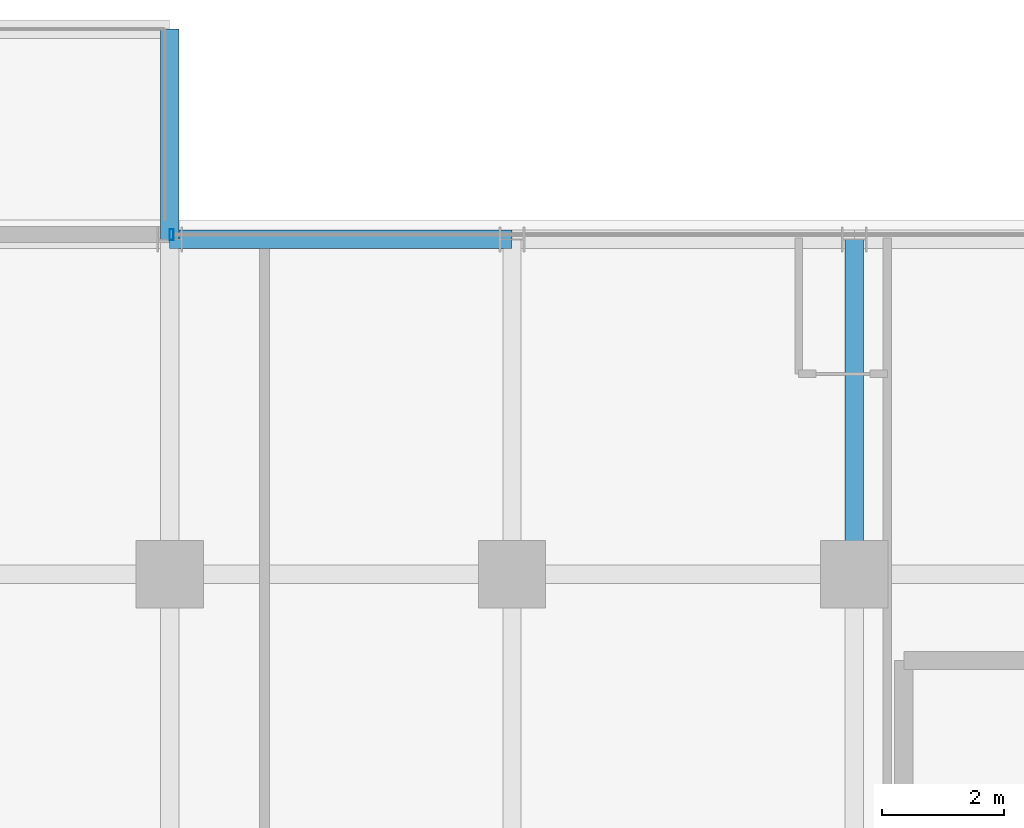
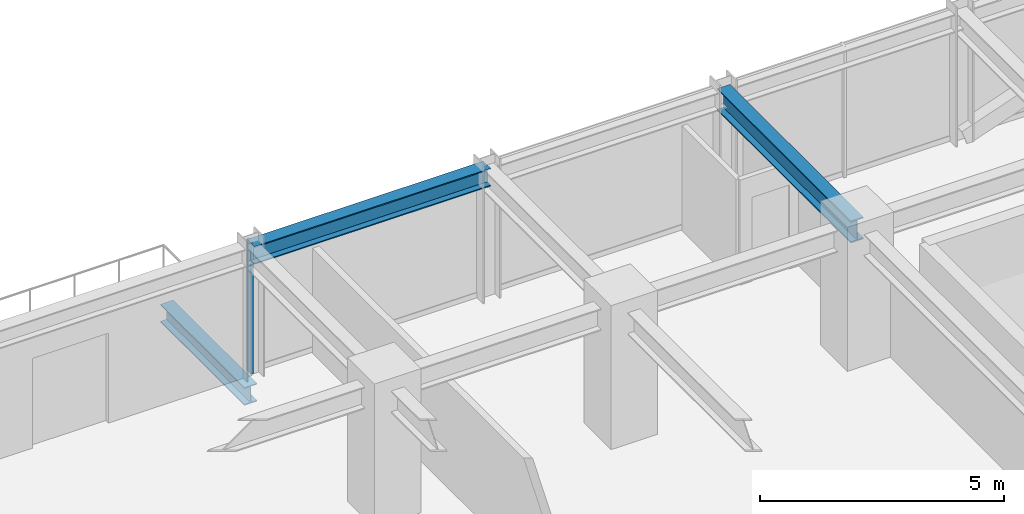
# One storey, part 19 of 32: 3 beams, 1 member, 1 element without a shape of its own.
"""IFC4 building model written with IfcOpenShell, lengths in metres."""

from ifc_helpers import new_model, si_unit, direction, frame, origin, origin_2d, place, context, subcontext, project, spatial, hollow_rectangle, i_section, extrude, source, transform, mapped, material, material_profile, profile_set, type_object, element, aggregate, save


model = new_model("IFC4")

# Units and contexts
model_context = context("Model", 3, precision=1e-05, world=origin(), true_north=direction((0.0, 1.0)))
body_context = subcontext(model_context, "Body", "Model", "MODEL_VIEW")
ifc_project = project(units=[si_unit("LENGTHUNIT", "METRE"), si_unit("AREAUNIT", "SQUARE_METRE"), si_unit("VOLUMEUNIT", "CUBIC_METRE"), si_unit("PLANEANGLEUNIT", "RADIAN"), si_unit("MASSUNIT", "GRAM", prefix="KILO")], contexts=[model_context])

# Site, building, storey
site_placement = place(None, origin())
site = spatial("IfcSite", under=ifc_project, at=site_placement, CompositionType="ELEMENT")
building_placement = place(site_placement, origin())
building = spatial("IfcBuilding", under=site, at=building_placement, Name="Nahalor Promenade Grand Hotel", CompositionType="ELEMENT")
storey_placement = place(building_placement, frame((0.0, 0.0, 196.449951171875)))
storey = spatial("IfcBuildingStorey", under=building, at=storey_placement, Name="L50", CompositionType="ELEMENT", Elevation=196.449951171875)

# Beams
ifc_material_1 = material(Name="Steel S355JR", Category="steel")
ifc_material_profile_1 = material_profile(ifc_material_1, i_section(OverallWidth=0.3, OverallDepth=0.45, WebThickness=0.014, FlangeThickness=0.026, at=origin_2d()), Name="HEB 450")
ifc_profile_set_1 = profile_set([ifc_material_profile_1], Name="Steel S355JR")
beam_type_1 = type_object("IfcBeamType", Name="Beam-Outrigger-HEB450", PredefinedType="BEAM", material=ifc_profile_set_1)
shared_shape_1 = source(origin(), body_context, "Body", "SweptSolid", [
    extrude(i_section(OverallWidth=0.3, OverallDepth=0.45, WebThickness=0.014, FlangeThickness=0.026, at=origin_2d()), origin(), (0.0, 0.0, 1.0), 3.43994140625),
])
beam_1_placement = place(storey_placement, frame((-8.39990234375, 22.47998046875, -0.5048828125), z_axis=(0.0, 1.0, 0.0), x_axis=(-1.0, 0.0, 0.0)))
element("IfcBeam", 1, at=beam_1_placement, inside=storey, type_object=beam_type_1, Name="BM-L50-BC-01-2", PredefinedType="BEAM", context=body_context, shape_type="MappedRepresentation", body=[
    mapped(shared_shape_1, transform((0.0, 0.0, 0.0), scale=1.0)),
])
ifc_material_profile_2 = material_profile(ifc_material_1, i_section(OverallWidth=0.3, OverallDepth=0.55, WebThickness=0.015, FlangeThickness=0.029, at=origin_2d()), Name="HEB 550")
ifc_profile_set_2 = profile_set([ifc_material_profile_2], Name="Steel S355JR")
beam_type_2 = type_object("IfcBeamType", Name="Beam-Girder-HEB550", PredefinedType="BEAM", material=ifc_profile_set_2)
shared_shape_2 = source(origin(), body_context, "Body", "SweptSolid", [
    extrude(i_section(OverallWidth=0.3, OverallDepth=0.55, WebThickness=0.015, FlangeThickness=0.029, at=origin_2d()), origin(), (0.0, 0.0, 1.0), 5.47998046875),
])
beam_2_placement = place(storey_placement, frame((2.800048828125, 17.0, 3.01513671875), z_axis=(0.0, 1.0, 0.0), x_axis=(-1.0, 0.0, 0.0)))
element("IfcBeam", 2, at=beam_2_placement, inside=storey, type_object=beam_type_2, Name="BM-L50-GY-3-4", PredefinedType="BEAM", context=body_context, shape_type="MappedRepresentation", body=[
    mapped(shared_shape_2, transform((0.0, 0.0, 0.0), scale=1.0)),
])
ifc_material_profile_3 = material_profile(ifc_material_1, i_section(OverallWidth=0.3, OverallDepth=0.45, WebThickness=0.014, FlangeThickness=0.026, at=origin_2d()), Name="HEB 450")
ifc_profile_set_3 = profile_set([ifc_material_profile_3], Name="Steel S355JR")
beam_type_3 = type_object("IfcBeamType", Name="Beam-Spandrel-HEB450", PredefinedType="SPANDREL", material=ifc_profile_set_3)
shared_shape_3 = source(origin(), body_context, "Body", "SweptSolid", [
    extrude(i_section(OverallWidth=0.3, OverallDepth=0.45, WebThickness=0.014, FlangeThickness=0.026, at=origin_2d()), origin(), (0.0, 0.0, 1.0), 5.599853515625),
])
beam_3_placement = place(storey_placement, frame((-8.39990234375, 22.47998046875, 3.06494140625), z_axis=(1.0, 0.0, 0.0), x_axis=(0.0, 1.0, 0.0)))
element("IfcBeam", 3, at=beam_3_placement, inside=storey, type_object=beam_type_3, Name="BM-L50-SP-N-1", PredefinedType="SPANDREL", context=body_context, shape_type="MappedRepresentation", body=[
    mapped(shared_shape_3, transform((0.0, 0.0, 0.0), scale=1.0)),
])

# Curtain wall, member
ifc_material_2 = material(Name="Anodised Bronze Aluminium EN AW-6063 T6", Category="aluminium")
curtain_wall_type = type_object("IfcCurtainWallType", Name="CW2 Typical Hotel Flush Bronze Unitised Curtain Wall", PredefinedType="USERDEFINED", material=ifc_material_2)
curtain_wall_placement = place(storey_placement, origin())
curtain_wall = element("IfcCurtainWall", 4, at=curtain_wall_placement, inside=storey, type_object=curtain_wall_type, Name="L50 Curtain Wall CW-L50-N-3", ObjectType="UNITISED_CURTAIN_WALL", PredefinedType="USERDEFINED")
ifc_material_profile_4 = material_profile(ifc_material_2, hollow_rectangle(XDim=0.065, YDim=0.18, WallThickness=0.004, at=origin_2d()), Name="CWM 65x180x4")
ifc_profile_set_4 = profile_set([ifc_material_profile_4], Name="Anodised Bronze Aluminium EN AW-6063 T6")
member_type = type_object("IfcMemberType", Name="CWM2 Typical Bronze Mullion 65x180", PredefinedType="MULLION", material=ifc_profile_set_4)
shared_shape_4 = source(origin(), body_context, "Body", "SweptSolid", [
    extrude(hollow_rectangle(XDim=0.065, YDim=0.18, WallThickness=0.004, at=origin_2d()), origin(), (0.0, 0.0, 1.0), 3.2900390625),
])
member_placement = place(storey_placement, frame((-8.367431640625, 22.56005859375, 0.0), z_axis=(0.0, 0.0, 1.0), x_axis=(1.0, 0.0, 0.0)))
member = element("IfcMember", 5, at=member_placement, type_object=member_type, Name="CW-L50-N-3 Mullion 0", PredefinedType="MULLION", context=body_context, shape_type="MappedRepresentation", body=[
    mapped(shared_shape_4, transform((0.0, 0.0, 0.0), scale=1.0)),
])
aggregate(curtain_wall, [member])

save(model, "model.ifc")
